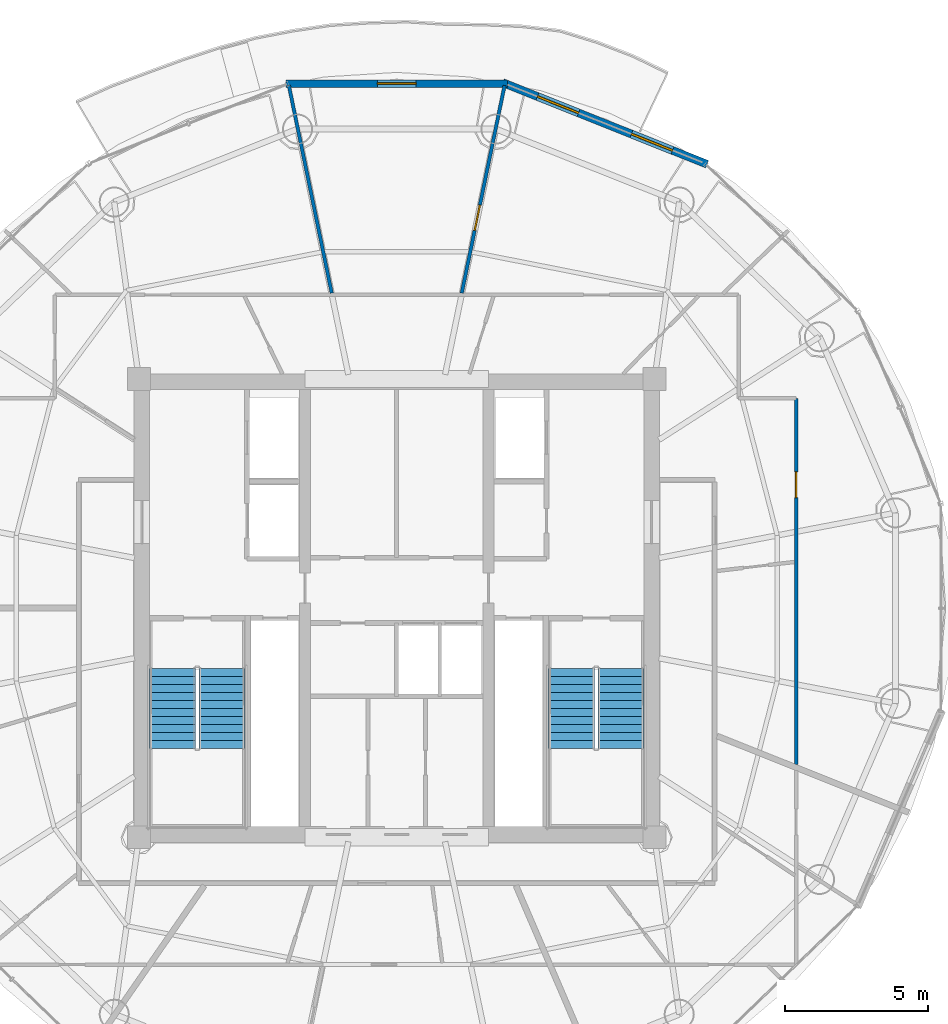
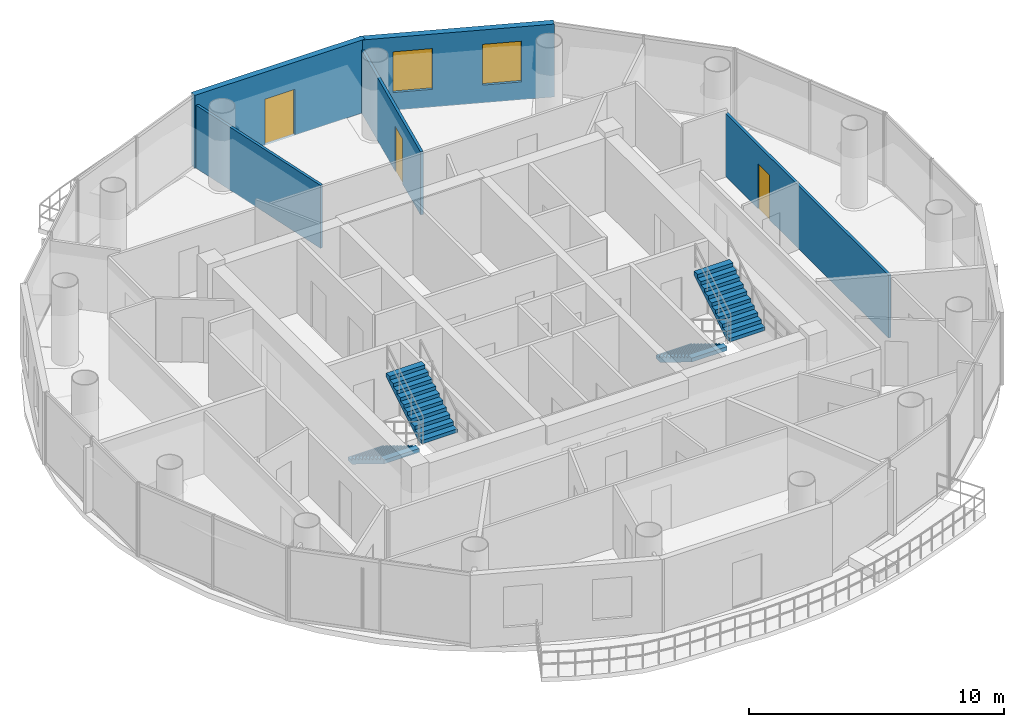
# One storey, part 21 of 24: 5 walls, 4 stair flights, 3 doors, 2 windows, 5 openings, 2 elements without a shape of their own.
"""IFC4 building model written with IfcOpenShell, lengths in metres."""

from ifc_helpers import new_model, si_unit, direction, frame, frame_2d, origin, place, context, subcontext, project, spatial, polyline, rectangle, outline, extrude, source, transform, mapped, material, layer, layer_set, type_object, element, fill, aggregate, save


model = new_model("IFC4")

# Units and contexts
model_context = context("Model", 3, precision=1e-05, world=origin(), true_north=direction((-0.2419218956, 0.970295726276)))
body_context = subcontext(model_context, "Body", "Model", "MODEL_VIEW")
ifc_project = project(units=[si_unit("LENGTHUNIT", "METRE"), si_unit("AREAUNIT", "SQUARE_METRE"), si_unit("VOLUMEUNIT", "CUBIC_METRE"), si_unit("PLANEANGLEUNIT", "RADIAN"), si_unit("MASSUNIT", "GRAM", prefix="KILO")], contexts=[model_context])

# Site, building, storey
site_placement = place(None, origin())
site = spatial("IfcSite", under=ifc_project, at=site_placement, CompositionType="ELEMENT")
building_placement = place(site_placement, origin())
building = spatial("IfcBuilding", under=site, at=building_placement, Name="Cobrevalo Terracotta Tower", CompositionType="ELEMENT")
storey_placement = place(building_placement, frame((0.0, 0.0, 270.699951171875)))
storey = spatial("IfcBuildingStorey", under=building, at=storey_placement, Name="L71", CompositionType="ELEMENT", Elevation=270.699951171875)

# Wall, openings, windows
ifc_material_1 = material(Name="Autoclaved aerated concrete block", Category="concrete")
ifc_layer_1 = layer(ifc_material_1, 0.280029296875)
ifc_layer_set_1 = layer_set([ifc_layer_1], Name="Autoclaved aerated concrete block")
wall_type_1 = type_object("IfcWallType", Name="Insulated tower spandrel & pier wall 280 mm with terracotta rainscreen", PredefinedType="SOLIDWALL", material=ifc_layer_set_1)
wall_1_placement = place(storey_placement, frame((48.835693359375, 42.2939453125, 0.0), z_axis=(0.0, 0.0, 1.0), x_axis=(-0.928724272392, 0.370771123296, 0.0)))
wall_1 = element("IfcWall", 1, at=wall_1_placement, inside=storey, type_object=wall_type_1, Name="L71 terracotta rainscreen pier wall S03", PredefinedType="SOLIDWALL", context=body_context, shape_type="SweptSolid", body=[
    extrude(rectangle(XDim=7.678466796875, YDim=0.280029296875, at=frame_2d((3.83935546875, 0.0))), origin(), (0.0, 0.0, 1.0), 3.489990234375),
])
opening_1_placement = place(wall_1_placement, frame((1.298095703125, 0.0, 0.85009765625)))
opening_1 = element("IfcOpeningElement", 2, at=opening_1_placement, cuts=wall_1, Name="Opening WN-12", PredefinedType="OPENING", context=body_context, shape_type="SweptSolid", body=[
    extrude(rectangle(XDim=1.550048828125, YDim=1.949951171875, at=frame_2d((0.77490234375, 0.97509765625))), frame((0.0, 0.14990234375, 0.0), z_axis=(0.0, -1.0, 0.0), x_axis=(1.0, 0.0, 0.0)), (0.0, 0.0, 1.0), 0.300048828125),
])
opening_2_placement = place(wall_1_placement, frame((4.830078125, 0.0, 0.85009765625)))
opening_2 = element("IfcOpeningElement", 3, at=opening_2_placement, cuts=wall_1, Name="Opening WN-12", PredefinedType="OPENING", context=body_context, shape_type="SweptSolid", body=[
    extrude(rectangle(XDim=1.550048828125, YDim=1.949951171875, at=frame_2d((0.77490234375, 0.97509765625))), frame((0.0, 0.14990234375, 0.0), z_axis=(0.0, -1.0, 0.0), x_axis=(1.0, 0.0, 0.0)), (0.0, 0.0, 1.0), 0.300048828125),
])
ifc_material_2 = material(Name="Solar-control low-E double glazing", Category="glass")
window_type = type_object("IfcWindowType", Name="Solar-control low-E aluminium window 1550x1950", PartitioningType="SINGLE_PANEL", PredefinedType="WINDOW", material=ifc_material_2)
shared_shape_1 = source(origin(), body_context, "Body", "SweptSolid", [
    extrude(rectangle(XDim=1.550048828125, YDim=1.949951171875, at=frame_2d((0.77490234375, 0.97509765625))), frame((0.0, 0.030029296875, 0.0), z_axis=(0.0, -1.0, 0.0), x_axis=(1.0, 0.0, 0.0)), (0.0, 0.0, 1.0), 0.06005859375),
])
window_1_placement = place(opening_1_placement, origin())
window_1 = element("IfcWindow", 4, at=window_1_placement, inside=storey, type_object=window_type, Name="L71 suite window S03A", OverallHeight=1.949951171875, OverallWidth=1.550048828125, PartitioningType="SINGLE_PANEL", PredefinedType="WINDOW", context=body_context, shape_type="MappedRepresentation", body=[
    mapped(shared_shape_1, transform((0.0, 0.0, 0.0), scale=1.0)),
])
fill(opening_1, window_1)
window_2_placement = place(opening_2_placement, origin())
window_2 = element("IfcWindow", 5, at=window_2_placement, inside=storey, type_object=window_type, Name="L71 suite window S03B", OverallHeight=1.949951171875, OverallWidth=1.550048828125, PartitioningType="SINGLE_PANEL", PredefinedType="WINDOW", context=body_context, shape_type="MappedRepresentation", body=[
    mapped(shared_shape_1, transform((0.0, 0.0, 0.0), scale=1.0)),
])
fill(opening_2, window_2)

# Wall, opening, door
ifc_layer_2 = layer(ifc_material_1, 0.260009765625)
ifc_layer_set_2 = layer_set([ifc_layer_2], Name="Autoclaved aerated concrete block")
wall_type_2 = type_object("IfcWallType", Name="Recessed balcony loggia insulated exterior wall 260 mm", PredefinedType="SOLIDWALL", material=ifc_layer_set_2)
wall_2_placement = place(storey_placement, frame((41.85888671875, 45.111328125, 0.0), z_axis=(0.0, 0.0, 1.0), x_axis=(-1.0, 0.0, 0.0)))
wall_2 = element("IfcWall", 6, at=wall_2_placement, inside=storey, type_object=wall_type_2, Name="L71 balcony loggia wall S04", PredefinedType="SOLIDWALL", context=body_context, shape_type="SweptSolid", body=[
    extrude(rectangle(XDim=7.7177734375, YDim=0.260009765625, at=frame_2d((3.85888671875, 0.0))), origin(), (0.0, 0.0, 1.0), 3.489990234375),
])
opening_3_placement = place(wall_2_placement, frame((3.183837890625, 0.0, 0.0)))
opening_3 = element("IfcOpeningElement", 7, at=opening_3_placement, cuts=wall_2, Name="Opening ED-05", PredefinedType="OPENING", context=body_context, shape_type="SweptSolid", body=[
    extrude(rectangle(XDim=1.35009765625, YDim=2.199951171875, at=frame_2d((0.675048828125, 1.10009765625))), frame((0.0, 0.14013671875, 0.0), z_axis=(0.0, -1.0, 0.0), x_axis=(1.0, 0.0, 0.0)), (0.0, 0.0, 1.0), 0.280029296875),
])
ifc_material_3 = material(Name="Anodized aluminium and laminated glass", Category="aluminium")
door_type_1 = type_object("IfcDoorType", Name="Suite balcony acoustic glazed terrace door 1350x2200", OperationType="NOTDEFINED", PredefinedType="DOOR", material=ifc_material_3)
shared_shape_2 = source(origin(), body_context, "Body", "SweptSolid", [
    extrude(rectangle(XDim=1.35009765625, YDim=2.199951171875, at=frame_2d((0.675048828125, 1.10009765625))), frame((0.0, 0.02490234375, 0.0), z_axis=(0.0, -1.0, 0.0), x_axis=(1.0, 0.0, 0.0)), (0.0, 0.0, 1.0), 0.050048828125),
])
door_1_placement = place(opening_3_placement, frame((1.35009765625, 0.0, 0.0), z_axis=(0.0, 0.0, 1.0), x_axis=(-1.0, 0.0, 0.0)))
door_1 = element("IfcDoor", 8, at=door_1_placement, inside=storey, type_object=door_type_1, Name="L71 glazed balcony terrace door 1", OperationType="SINGLE_SWING_LEFT", OverallHeight=2.199951171875, OverallWidth=1.35009765625, PredefinedType="DOOR", context=body_context, shape_type="MappedRepresentation", body=[
    mapped(shared_shape_2, transform((0.0, 0.0, 0.0), scale=1.0)),
])
fill(opening_3, door_1)

ifc_material_4 = material(Name="Gypsum board on steel stud", Category="steel")
ifc_layer_3 = layer(ifc_material_4, 0.1201171875)
ifc_layer_set_3 = layer_set([ifc_layer_3], Name="Gypsum board on steel stud")
wall_type_3 = type_object("IfcWallType", Name="Residential internal acoustic stud partition 120 mm", PredefinedType="PARTITIONING", material=ifc_layer_set_3)
wall_3_placement = place(storey_placement, frame((51.945068359375, 34.1201171875, 0.0), z_axis=(0.0, 0.0, 1.0), x_axis=(0.0, -1.0, 0.0)))
wall_3 = element("IfcWall", 9, at=wall_3_placement, inside=storey, type_object=wall_type_3, Name="L71 interior partition IW-L71-U1-RING6_0", PredefinedType="PARTITIONING", context=body_context, shape_type="SweptSolid", body=[
    extrude(rectangle(XDim=12.785888671875, YDim=0.1201171875, at=frame_2d((6.39306640625, 0.0))), origin(), (0.0, 0.0, 1.0), 3.01513671875),
])
opening_4_placement = place(wall_3_placement, frame((2.56201171875, 0.0, 0.0)))
opening_4 = element("IfcOpeningElement", 10, at=opening_4_placement, cuts=wall_3, Name="Opening ID-12", PredefinedType="OPENING", context=body_context, shape_type="SweptSolid", body=[
    extrude(rectangle(XDim=0.89990234375, YDim=2.14990234375, at=frame_2d((0.449951171875, 1.074951171875))), frame((0.0, 0.070068359375, 0.0), z_axis=(0.0, -1.0, 0.0), x_axis=(1.0, 0.0, 0.0)), (0.0, 0.0, 1.0), 0.14013671875),
])
ifc_material_5 = material(Name="Engineered timber", Category="wood")
door_type_2 = type_object("IfcDoorType", Name="Internal residence & suite timber door 900x2150", OperationType="NOTDEFINED", PredefinedType="DOOR", material=ifc_material_5)
shared_shape_3 = source(origin(), body_context, "Body", "SweptSolid", [
    extrude(rectangle(XDim=0.89990234375, YDim=2.14990234375, at=frame_2d((0.449951171875, 1.074951171875))), frame((0.0, 0.02490234375, 0.0), z_axis=(0.0, -1.0, 0.0), x_axis=(1.0, 0.0, 0.0)), (0.0, 0.0, 1.0), 0.050048828125),
])
door_2_placement = place(opening_4_placement, origin())
door_2 = element("IfcDoor", 11, at=door_2_placement, inside=storey, type_object=door_type_2, Name="Flat L71A Living and Dining Room internal door", OperationType="SINGLE_SWING_RIGHT", OverallHeight=2.14990234375, OverallWidth=0.89990234375, PredefinedType="DOOR", context=body_context, shape_type="MappedRepresentation", body=[
    mapped(shared_shape_3, transform((0.0, 0.0, 0.0), scale=1.0)),
])
fill(opening_4, door_2)

wall_4_placement = place(storey_placement, frame((40.26904296875, 37.795654296875, 0.0), z_axis=(0.0, 0.0, 1.0), x_axis=(0.202101574245, 0.979364566281, 0.0)))
wall_4 = element("IfcWall", 12, at=wall_4_placement, inside=storey, type_object=wall_type_3, Name="L71 interior partition IW-L71-U1-ORAD2", PredefinedType="PARTITIONING", context=body_context, shape_type="SweptSolid", body=[
    extrude(rectangle(XDim=7.400146484375, YDim=0.1201171875, at=frame_2d((3.7001953125, 0.0))), origin(), (0.0, 0.0, 1.0), 3.01513671875),
])
opening_5_placement = place(wall_4_placement, frame((2.236083984375, 0.0, 0.0)))
opening_5 = element("IfcOpeningElement", 13, at=opening_5_placement, cuts=wall_4, Name="Opening ID-12", PredefinedType="OPENING", context=body_context, shape_type="SweptSolid", body=[
    extrude(rectangle(XDim=0.89990234375, YDim=2.14990234375, at=frame_2d((0.449951171875, 1.074951171875))), frame((0.0, 0.070068359375, 0.0), z_axis=(0.0, -1.0, 0.0), x_axis=(1.0, 0.0, 0.0)), (0.0, 0.0, 1.0), 0.14013671875),
])
door_3_placement = place(opening_5_placement, origin())
door_3 = element("IfcDoor", 14, at=door_3_placement, inside=storey, type_object=door_type_2, Name="Flat L71A Principal Guest Bedroom internal door", OperationType="SINGLE_SWING_RIGHT", OverallHeight=2.14990234375, OverallWidth=0.89990234375, PredefinedType="DOOR", context=body_context, shape_type="MappedRepresentation", body=[
    mapped(shared_shape_3, transform((0.0, 0.0, 0.0), scale=1.0)),
])
fill(opening_5, door_3)

# Wall
wall_5_placement = place(storey_placement, frame((35.73095703125, 37.795654296875, 0.0), z_axis=(0.0, 0.0, 1.0), x_axis=(-0.202101574245, 0.979364566281, 0.0)))
element("IfcWall", 15, at=wall_5_placement, inside=storey, type_object=wall_type_3, Name="L71 interior partition IW-L71-U1-ORAD3M1", PredefinedType="PARTITIONING", context=body_context, shape_type="SweptSolid", body=[
    extrude(rectangle(XDim=7.400146484375, YDim=0.1201171875, at=frame_2d((3.7001953125, 0.0))), origin(), (0.0, 0.0, 1.0), 3.01513671875),
])

# Stair, stair flights
ifc_material_6 = material(Name="Concrete C50", Category="concrete")
stair_type = type_object("IfcStairType", Name="Core protected escape dogleg stair 1600", PredefinedType="HALF_TURN_STAIR", material=ifc_material_6)
stair_1_placement = place(storey_placement, origin())
stair_1 = element("IfcStair", 16, at=stair_1_placement, inside=storey, type_object=stair_type, Name="L71 Protected exit stair ST-1", PredefinedType="HALF_TURN_STAIR")
stair_flight_type = type_object("IfcStairFlightType", Name="Core protected escape dogleg stair 1600 flight", PredefinedType="STRAIGHT", material=ifc_material_6)
stair_flight_1_placement = place(storey_placement, frame((30.175048828125, 24.699951171875, 0.0), z_axis=(0.0, 0.0, 1.0), x_axis=(0.0, -1.0, 0.0)))
stair_flight_1 = element("IfcStairFlight", 17, at=stair_flight_1_placement, type_object=stair_flight_type, Name="ST-1 flight 1", NumberOfRisers=11, NumberOfTreads=10, PredefinedType="STRAIGHT", RiserHeight=0.170454545, TreadLength=0.28, context=body_context, shape_type="SweptSolid", body=[
    extrude(outline(polyline([(0.0, 0.0), (0.0, 0.17041015625), (0.280029296875, 0.17041015625), (0.280029296875, 0.3408203125), (0.56005859375, 0.3408203125), (0.56005859375, 0.511474609375), (0.840087890625, 0.511474609375), (0.840087890625, 0.681884765625), (1.1201171875, 0.681884765625), (1.1201171875, 0.852294921875), (1.39990234375, 0.852294921875), (1.39990234375, 1.022705078125), (1.679931640625, 1.022705078125), (1.679931640625, 1.193115234375), (1.9599609375, 1.193115234375), (1.9599609375, 1.363525390625), (2.239990234375, 1.363525390625), (2.239990234375, 1.5341796875), (2.52001953125, 1.5341796875), (2.52001953125, 1.70458984375), (2.800048828125, 1.70458984375), (2.800048828125, 1.875), (2.800048828125, 1.517333984375), (0.3076171875, 0.0), (0.0, 0.0)])), frame((0.0, 0.800048828125, 0.0), z_axis=(0.0, -1.0, 0.0), x_axis=(1.0, 0.0, 0.0)), (0.0, 0.0, 1.0), 1.60009765625),
])
stair_flight_2_placement = place(storey_placement, frame((31.89501953125, 21.89990234375, 1.875), z_axis=(0.0, 0.0, 1.0), x_axis=(0.0, 1.0, 0.0)))
stair_flight_2 = element("IfcStairFlight", 18, at=stair_flight_2_placement, type_object=stair_flight_type, Name="ST-1 flight 2", NumberOfRisers=11, NumberOfTreads=10, PredefinedType="STRAIGHT", RiserHeight=0.170454545, TreadLength=0.28, context=body_context, shape_type="SweptSolid", body=[
    extrude(outline(polyline([(0.0, 0.0), (0.0, 0.17041015625), (0.280029296875, 0.17041015625), (0.280029296875, 0.3408203125), (0.56005859375, 0.3408203125), (0.56005859375, 0.511474609375), (0.840087890625, 0.511474609375), (0.840087890625, 0.681884765625), (1.1201171875, 0.681884765625), (1.1201171875, 0.852294921875), (1.39990234375, 0.852294921875), (1.39990234375, 1.022705078125), (1.679931640625, 1.022705078125), (1.679931640625, 1.193115234375), (1.9599609375, 1.193115234375), (1.9599609375, 1.363525390625), (2.239990234375, 1.363525390625), (2.239990234375, 1.5341796875), (2.52001953125, 1.5341796875), (2.52001953125, 1.70458984375), (2.800048828125, 1.70458984375), (2.800048828125, 1.875), (2.800048828125, 1.517333984375), (0.3076171875, 0.0), (0.0, 0.0)])), frame((0.0, 0.800048828125, 0.0), z_axis=(0.0, -1.0, 0.0), x_axis=(1.0, 0.0, 0.0)), (0.0, 0.0, 1.0), 1.60009765625),
])
aggregate(stair_1, [stair_flight_1, stair_flight_2])

stair_2_placement = place(storey_placement, origin())
stair_2 = element("IfcStair", 19, at=stair_2_placement, inside=storey, type_object=stair_type, Name="L71 Protected exit stair ST-2", PredefinedType="HALF_TURN_STAIR")
stair_flight_3_placement = place(storey_placement, frame((44.10498046875, 24.699951171875, 0.0), z_axis=(0.0, 0.0, 1.0), x_axis=(0.0, -1.0, 0.0)))
stair_flight_3 = element("IfcStairFlight", 20, at=stair_flight_3_placement, type_object=stair_flight_type, Name="ST-2 flight 1", NumberOfRisers=11, NumberOfTreads=10, PredefinedType="STRAIGHT", RiserHeight=0.170454545, TreadLength=0.28, context=body_context, shape_type="SweptSolid", body=[
    extrude(outline(polyline([(0.0, 0.0), (0.0, 0.17041015625), (0.280029296875, 0.17041015625), (0.280029296875, 0.3408203125), (0.56005859375, 0.3408203125), (0.56005859375, 0.511474609375), (0.840087890625, 0.511474609375), (0.840087890625, 0.681884765625), (1.1201171875, 0.681884765625), (1.1201171875, 0.852294921875), (1.39990234375, 0.852294921875), (1.39990234375, 1.022705078125), (1.679931640625, 1.022705078125), (1.679931640625, 1.193115234375), (1.9599609375, 1.193115234375), (1.9599609375, 1.363525390625), (2.239990234375, 1.363525390625), (2.239990234375, 1.5341796875), (2.52001953125, 1.5341796875), (2.52001953125, 1.70458984375), (2.800048828125, 1.70458984375), (2.800048828125, 1.875), (2.800048828125, 1.517333984375), (0.3076171875, 0.0), (0.0, 0.0)])), frame((0.0, 0.800048828125, 0.0), z_axis=(0.0, -1.0, 0.0), x_axis=(1.0, 0.0, 0.0)), (0.0, 0.0, 1.0), 1.60009765625),
])
stair_flight_4_placement = place(storey_placement, frame((45.824951171875, 21.89990234375, 1.875), z_axis=(0.0, 0.0, 1.0), x_axis=(0.0, 1.0, 0.0)))
stair_flight_4 = element("IfcStairFlight", 21, at=stair_flight_4_placement, type_object=stair_flight_type, Name="ST-2 flight 2", NumberOfRisers=11, NumberOfTreads=10, PredefinedType="STRAIGHT", RiserHeight=0.170454545, TreadLength=0.28, context=body_context, shape_type="SweptSolid", body=[
    extrude(outline(polyline([(0.0, 0.0), (0.0, 0.17041015625), (0.280029296875, 0.17041015625), (0.280029296875, 0.3408203125), (0.56005859375, 0.3408203125), (0.56005859375, 0.511474609375), (0.840087890625, 0.511474609375), (0.840087890625, 0.681884765625), (1.1201171875, 0.681884765625), (1.1201171875, 0.852294921875), (1.39990234375, 0.852294921875), (1.39990234375, 1.022705078125), (1.679931640625, 1.022705078125), (1.679931640625, 1.193115234375), (1.9599609375, 1.193115234375), (1.9599609375, 1.363525390625), (2.239990234375, 1.363525390625), (2.239990234375, 1.5341796875), (2.52001953125, 1.5341796875), (2.52001953125, 1.70458984375), (2.800048828125, 1.70458984375), (2.800048828125, 1.875), (2.800048828125, 1.517333984375), (0.3076171875, 0.0), (0.0, 0.0)])), frame((0.0, 0.800048828125, 0.0), z_axis=(0.0, -1.0, 0.0), x_axis=(1.0, 0.0, 0.0)), (0.0, 0.0, 1.0), 1.60009765625),
])
aggregate(stair_2, [stair_flight_3, stair_flight_4])

save(model, "model.ifc")
